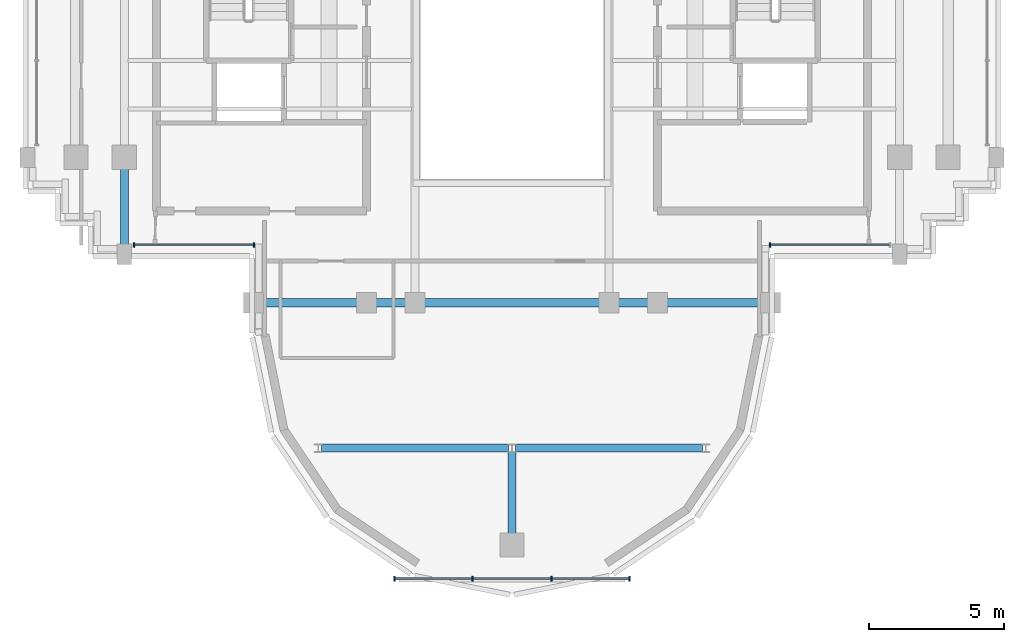
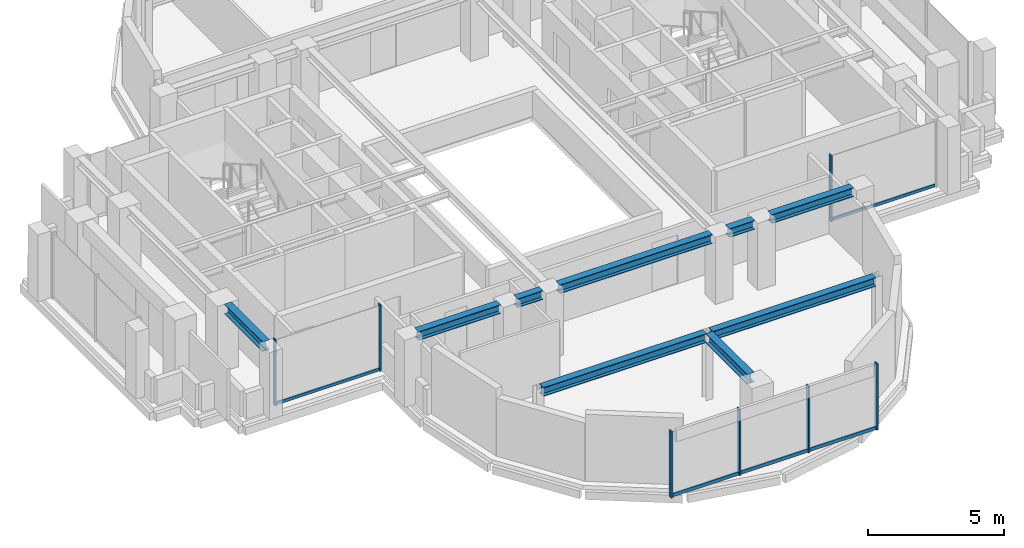
# One storey, part 3 of 12: 12 members, 9 beams, 3 elements without a shape of their own.
"""IFC4 building model written with IfcOpenShell, lengths in metres."""

from ifc_helpers import new_model, si_unit, direction, frame, origin, origin_2d, place, context, subcontext, project, spatial, rectangle, i_section, extrude, source, transform, mapped, material, material_profile, profile_set, type_object, element, aggregate, save


model = new_model("IFC4")

# Units and contexts
model_context = context("Model", 3, precision=1e-05, world=origin(), true_north=direction((0.0, 1.0)))
body_context = subcontext(model_context, "Body", "Model", "MODEL_VIEW")
ifc_project = project(units=[si_unit("LENGTHUNIT", "METRE"), si_unit("AREAUNIT", "SQUARE_METRE"), si_unit("VOLUMEUNIT", "CUBIC_METRE"), si_unit("PLANEANGLEUNIT", "RADIAN"), si_unit("MASSUNIT", "GRAM", prefix="KILO")], contexts=[model_context])

# Site, building, storey
site_placement = place(None, origin())
site = spatial("IfcSite", under=ifc_project, at=site_placement, CompositionType="ELEMENT")
building_placement = place(site_placement, origin())
building = spatial("IfcBuilding", under=site, at=building_placement, Name="Keilestroom Media Tower", CompositionType="ELEMENT")
storey_placement = place(building_placement, frame((0.0, 0.0, 249.199951171875)))
storey = spatial("IfcBuildingStorey", under=building, at=storey_placement, Name="L69", CompositionType="ELEMENT", Elevation=249.199951171875)

# Beams
ifc_material_1 = material(Name="Steel S355", Category="steel")
ifc_material_profile_1 = material_profile(ifc_material_1, i_section(OverallWidth=0.300048828125, OverallDepth=0.39990234375, WebThickness=0.011474609375, FlangeThickness=0.02392578125, at=origin_2d()), Name="HEB 400")
ifc_profile_set_1 = profile_set([ifc_material_profile_1], Name="Steel S355")
beam_type_1 = type_object("IfcBeamType", Name="Primary-Structural-Girder-HEB-400", PredefinedType="BEAM", material=ifc_profile_set_1)
shared_shape_1 = source(origin(), body_context, "Body", "SweptSolid", [
    extrude(i_section(OverallWidth=0.300048828125, OverallDepth=0.39990234375, WebThickness=0.011474609375, FlangeThickness=0.02392578125, at=origin_2d()), origin(), (0.0, 0.0, 1.0), 6.940185546875),
])
for number, where, z_axis, x_axis, name in (
    (1, (-7.070068359375, -14.39990234375, 2.81005859375), (1.0, 0.0, 0.0), (0.0, 1.0, 0.0), "L69 Beam BG-8 BM-L69-EW-001"),
    (2, (0.1298828125, -14.39990234375, 2.81005859375), (1.0, 0.0, 0.0), (0.0, 1.0, 0.0), "L69 Beam BG-8 BM-L69-EW-002"),
):
    element("IfcBeam", number, at=place(storey_placement, frame(where, z_axis=z_axis, x_axis=x_axis)), inside=storey, type_object=beam_type_1, Name=name, PredefinedType="BEAM", context=body_context, shape_type="MappedRepresentation", body=[
        mapped(shared_shape_1, transform((0.0, 0.0, 0.0), x_axis=(1.0, 0.0, 0.0), y_axis=(0.0, 1.0, 0.0), z_axis=(0.0, 0.0, 1.0), scale=1.0)),
    ])
shared_shape_2 = source(origin(), body_context, "Body", "SweptSolid", [
    extrude(i_section(OverallWidth=0.300048828125, OverallDepth=0.39990234375, WebThickness=0.011474609375, FlangeThickness=0.02392578125, at=origin_2d()), origin(), (0.0, 0.0, 1.0), 3.490234375),
])
for number, where, z_axis, x_axis, name in (
    (3, (-9.2451171875, -9.0, 2.81005859375), (1.0, 0.0, 0.0), (0.0, 1.0, 0.0), "L69 Beam BG-8 BM-L69-EW-003"),
    (4, (5.7548828125, -9.0, 2.81005859375), (1.0, 0.0, 0.0), (0.0, 1.0, 0.0), "L69 Beam BG-8 BM-L69-EW-007"),
):
    element("IfcBeam", number, at=place(storey_placement, frame(where, z_axis=z_axis, x_axis=x_axis)), inside=storey, type_object=beam_type_1, Name=name, PredefinedType="BEAM", context=body_context, shape_type="MappedRepresentation", body=[
        mapped(shared_shape_2, transform((0.0, 0.0, 0.0), x_axis=(1.0, 0.0, 0.0), y_axis=(0.0, 1.0, 0.0), z_axis=(0.0, 0.0, 1.0), scale=1.0)),
    ])
shared_shape_3 = source(origin(), body_context, "Body", "SweptSolid", [
    extrude(i_section(OverallWidth=0.300048828125, OverallDepth=0.39990234375, WebThickness=0.011474609375, FlangeThickness=0.02392578125, at=origin_2d()), origin(), (0.0, 0.0, 1.0), 1.08984375),
])
for number, where, z_axis, x_axis, name in (
    (5, (-5.044921875, -9.0, 2.81005859375), (1.0, 0.0, 0.0), (0.0, 1.0, 0.0), "L69 Beam BG-8 BM-L69-EW-004"),
    (6, (3.955078125, -9.0, 2.81005859375), (1.0, 0.0, 0.0), (0.0, 1.0, 0.0), "L69 Beam BG-8 BM-L69-EW-006"),
):
    element("IfcBeam", number, at=place(storey_placement, frame(where, z_axis=z_axis, x_axis=x_axis)), inside=storey, type_object=beam_type_1, Name=name, PredefinedType="BEAM", context=body_context, shape_type="MappedRepresentation", body=[
        mapped(shared_shape_3, transform((0.0, 0.0, 0.0), x_axis=(1.0, 0.0, 0.0), y_axis=(0.0, 1.0, 0.0), z_axis=(0.0, 0.0, 1.0), scale=1.0)),
    ])
shared_shape_4 = source(origin(), body_context, "Body", "SweptSolid", [
    extrude(i_section(OverallWidth=0.300048828125, OverallDepth=0.39990234375, WebThickness=0.011474609375, FlangeThickness=0.02392578125, at=origin_2d()), origin(), (0.0, 0.0, 1.0), 6.490234375),
])
beam_1_placement = place(storey_placement, frame((-3.2451171875, -9.0, 2.81005859375), z_axis=(1.0, 0.0, 0.0), x_axis=(0.0, 1.0, 0.0)))
element("IfcBeam", 7, at=beam_1_placement, inside=storey, type_object=beam_type_1, Name="L69 Beam BG-8 BM-L69-EW-005", PredefinedType="BEAM", context=body_context, shape_type="MappedRepresentation", body=[
    mapped(shared_shape_4, transform((0.0, 0.0, 0.0), x_axis=(1.0, 0.0, 0.0), y_axis=(0.0, 1.0, 0.0), z_axis=(0.0, 0.0, 1.0), scale=1.0)),
])
ifc_material_profile_2 = material_profile(ifc_material_1, i_section(OverallWidth=0.300048828125, OverallDepth=0.43994140625, WebThickness=0.011474609375, FlangeThickness=0.02099609375, at=origin_2d()), Name="HEA 450")
ifc_profile_set_2 = profile_set([ifc_material_profile_2], Name="Steel S355")
beam_type_2 = type_object("IfcBeamType", Name="Primary-Structural-Girder-HEA-450", PredefinedType="BEAM", material=ifc_profile_set_2)
shared_shape_5 = source(origin(), body_context, "Body", "SweptSolid", [
    extrude(i_section(OverallWidth=0.300048828125, OverallDepth=0.43994140625, WebThickness=0.011474609375, FlangeThickness=0.02099609375, at=origin_2d()), origin(), (0.0, 0.0, 1.0), 2.81494140625),
])
beam_2_placement = place(storey_placement, frame((-14.39990234375, -6.844970703125, 2.7900390625), z_axis=(0.0, 1.0, 0.0), x_axis=(-1.0, 0.0, 0.0)))
element("IfcBeam", 8, at=beam_2_placement, inside=storey, type_object=beam_type_2, Name="L69 Beam BG-11 BM-L69-NS-022", PredefinedType="BEAM", context=body_context, shape_type="MappedRepresentation", body=[
    mapped(shared_shape_5, transform((0.0, 0.0, 0.0), x_axis=(1.0, 0.0, 0.0), y_axis=(0.0, 1.0, 0.0), z_axis=(0.0, 0.0, 1.0), scale=1.0)),
])
shared_shape_6 = source(origin(), body_context, "Body", "SweptSolid", [
    extrude(i_section(OverallWidth=0.300048828125, OverallDepth=0.43994140625, WebThickness=0.011474609375, FlangeThickness=0.02099609375, at=origin_2d()), origin(), (0.0, 0.0, 1.0), 3.0400390625),
])
beam_3_placement = place(storey_placement, frame((0.0, -17.570068359375, 2.7900390625), z_axis=(0.0, 1.0, 0.0), x_axis=(-1.0, 0.0, 0.0)))
element("IfcBeam", 9, at=beam_3_placement, inside=storey, type_object=beam_type_2, Name="L69 Beam BG-11 BM-L69-NS-029", PredefinedType="BEAM", context=body_context, shape_type="MappedRepresentation", body=[
    mapped(shared_shape_6, transform((0.0, 0.0, 0.0), x_axis=(1.0, 0.0, 0.0), y_axis=(0.0, 1.0, 0.0), z_axis=(0.0, 0.0, 1.0), scale=1.0)),
])

# Curtain wall, members
ifc_material_2 = material(Name="Anodised Aluminium Alloy", Category="aluminium")
curtain_wall_type_1 = type_object("IfcCurtainWallType", Name="Unitised-Curtain-Wall-CW-6", PredefinedType="NOTDEFINED", material=ifc_material_2)
curtain_wall_1_placement = place(storey_placement, origin())
curtain_wall_1 = element("IfcCurtainWall", 10, at=curtain_wall_1_placement, inside=storey, type_object=curtain_wall_type_1, Name="L69 Curtain Wall CW-6 CW-L69-LS-1", PredefinedType="NOTDEFINED")
ifc_material_profile_3 = material_profile(ifc_material_2, rectangle(XDim=0.06494140625, YDim=0.179931640625, at=origin_2d()), Name="ALU MULLION 65x180")
ifc_profile_set_3 = profile_set([ifc_material_profile_3], Name="Anodised Aluminium Alloy")
member_type_1 = type_object("IfcMemberType", Name="Curtain-Wall-Mullion-CW-6", PredefinedType="MULLION", material=ifc_profile_set_3)
shared_shape_7 = source(origin(), body_context, "Body", "SweptSolid", [
    extrude(rectangle(XDim=0.06494140625, YDim=0.179931640625, at=origin_2d()), origin(), (0.0, 0.0, 1.0), 2.97998046875),
])
member_1_placement = place(storey_placement, frame((-4.367431640625, -19.25, 0.0), z_axis=(0.0, 0.0, 1.0), x_axis=(1.0, 0.0, 0.0)))
member_1 = element("IfcMember", 11, at=member_1_placement, type_object=member_type_1, Name="CW-6 Mullion 00", PredefinedType="MULLION", context=body_context, shape_type="MappedRepresentation", body=[
    mapped(shared_shape_7, transform((0.0, 0.0, 0.0), x_axis=(1.0, 0.0, 0.0), y_axis=(0.0, 1.0, 0.0), z_axis=(0.0, 0.0, 1.0), scale=1.0)),
])
member_2_placement = place(storey_placement, frame((-1.466796875, -19.25, 0.0), z_axis=(0.0, 0.0, 1.0), x_axis=(1.0, 0.0, 0.0)))
member_2 = element("IfcMember", 12, at=member_2_placement, type_object=member_type_1, Name="CW-6 Mullion 01", PredefinedType="MULLION", context=body_context, shape_type="MappedRepresentation", body=[
    mapped(shared_shape_7, transform((0.0, 0.0, 0.0), x_axis=(1.0, 0.0, 0.0), y_axis=(0.0, 1.0, 0.0), z_axis=(0.0, 0.0, 1.0), scale=1.0)),
])
member_3_placement = place(storey_placement, frame((1.466796875, -19.25, 0.0), z_axis=(0.0, 0.0, 1.0), x_axis=(1.0, 0.0, 0.0)))
member_3 = element("IfcMember", 13, at=member_3_placement, type_object=member_type_1, Name="CW-6 Mullion 02", PredefinedType="MULLION", context=body_context, shape_type="MappedRepresentation", body=[
    mapped(shared_shape_7, transform((0.0, 0.0, 0.0), x_axis=(1.0, 0.0, 0.0), y_axis=(0.0, 1.0, 0.0), z_axis=(0.0, 0.0, 1.0), scale=1.0)),
])
member_4_placement = place(storey_placement, frame((4.367431640625, -19.25, 0.0), z_axis=(0.0, 0.0, 1.0), x_axis=(1.0, 0.0, 0.0)))
member_4 = element("IfcMember", 14, at=member_4_placement, type_object=member_type_1, Name="CW-6 Mullion 03", PredefinedType="MULLION", context=body_context, shape_type="MappedRepresentation", body=[
    mapped(shared_shape_7, transform((0.0, 0.0, 0.0), x_axis=(1.0, 0.0, 0.0), y_axis=(0.0, 1.0, 0.0), z_axis=(0.0, 0.0, 1.0), scale=1.0)),
])
ifc_material_profile_4 = material_profile(ifc_material_2, rectangle(XDim=0.06494140625, YDim=0.14990234375, at=origin_2d()), Name="ALU TRANSOM 65x150")
ifc_profile_set_4 = profile_set([ifc_material_profile_4], Name="Anodised Aluminium Alloy")
member_type_2 = type_object("IfcMemberType", Name="Curtain-Wall-Transom-CW-6", PredefinedType="USERDEFINED", material=ifc_profile_set_4)
shared_shape_8 = source(origin(), body_context, "Body", "SweptSolid", [
    extrude(rectangle(XDim=0.06494140625, YDim=0.14990234375, at=origin_2d()), origin(), (0.0, 0.0, 1.0), 2.839599609375),
])
member_5_placement = place(storey_placement, frame((-4.3369140625, -19.25, 0.074951171875), z_axis=(1.0, 0.0, 0.0), x_axis=(0.0, 1.0, 0.0)))
member_5 = element("IfcMember", 15, at=member_5_placement, type_object=member_type_2, Name="CW-6 Transom 00.1", ObjectType="TRANSOM", PredefinedType="USERDEFINED", context=body_context, shape_type="MappedRepresentation", body=[
    mapped(shared_shape_8, transform((0.0, 0.0, 0.0), x_axis=(1.0, 0.0, 0.0), y_axis=(0.0, 1.0, 0.0), z_axis=(0.0, 0.0, 1.0), scale=1.0)),
])
member_6_placement = place(storey_placement, frame((1.497314453125, -19.25, 0.074951171875), z_axis=(1.0, 0.0, 0.0), x_axis=(0.0, 1.0, 0.0)))
member_6 = element("IfcMember", 16, at=member_6_placement, type_object=member_type_2, Name="CW-6 Transom 02.1", ObjectType="TRANSOM", PredefinedType="USERDEFINED", context=body_context, shape_type="MappedRepresentation", body=[
    mapped(shared_shape_8, transform((0.0, 0.0, 0.0), x_axis=(1.0, 0.0, 0.0), y_axis=(0.0, 1.0, 0.0), z_axis=(0.0, 0.0, 1.0), scale=1.0)),
])
shared_shape_9 = source(origin(), body_context, "Body", "SweptSolid", [
    extrude(rectangle(XDim=0.06494140625, YDim=0.14990234375, at=origin_2d()), origin(), (0.0, 0.0, 1.0), 2.87255859375),
])
member_7_placement = place(storey_placement, frame((-1.436279296875, -19.25, 0.074951171875), z_axis=(1.0, 0.0, 0.0), x_axis=(0.0, 1.0, 0.0)))
member_7 = element("IfcMember", 17, at=member_7_placement, type_object=member_type_2, Name="CW-6 Transom 01.1", ObjectType="TRANSOM", PredefinedType="USERDEFINED", context=body_context, shape_type="MappedRepresentation", body=[
    mapped(shared_shape_9, transform((0.0, 0.0, 0.0), x_axis=(1.0, 0.0, 0.0), y_axis=(0.0, 1.0, 0.0), z_axis=(0.0, 0.0, 1.0), scale=1.0)),
])
aggregate(curtain_wall_1, [member_1, member_2, member_3, member_4, member_5, member_7, member_6])

curtain_wall_type_2 = type_object("IfcCurtainWallType", Name="Unitised-Curtain-Wall-CW-4", PredefinedType="NOTDEFINED", material=ifc_material_2)
curtain_wall_2_placement = place(storey_placement, origin())
curtain_wall_2 = element("IfcCurtainWall", 18, at=curtain_wall_2_placement, inside=storey, type_object=curtain_wall_type_2, Name="L69 Curtain Wall CW-4 CW-L69-SW-1", PredefinedType="NOTDEFINED")
ifc_material_profile_5 = material_profile(ifc_material_2, rectangle(XDim=0.06005859375, YDim=0.159912109375, at=origin_2d()), Name="ALU MULLION 60x160")
ifc_profile_set_5 = profile_set([ifc_material_profile_5], Name="Anodised Aluminium Alloy")
member_type_3 = type_object("IfcMemberType", Name="Curtain-Wall-Mullion-CW-4", PredefinedType="MULLION", material=ifc_profile_set_5)
shared_shape_10 = source(origin(), body_context, "Body", "SweptSolid", [
    extrude(rectangle(XDim=0.06005859375, YDim=0.159912109375, at=origin_2d()), origin(), (0.0, 0.0, 1.0), 2.97998046875),
])
member_8_placement = place(storey_placement, frame((-14.034912109375, -6.85009765625, 0.0), z_axis=(0.0, 0.0, 1.0), x_axis=(1.0, 0.0, 0.0)))
member_8 = element("IfcMember", 19, at=member_8_placement, type_object=member_type_3, Name="CW-4 Mullion 00", PredefinedType="MULLION", context=body_context, shape_type="MappedRepresentation", body=[
    mapped(shared_shape_10, transform((0.0, 0.0, 0.0), x_axis=(1.0, 0.0, 0.0), y_axis=(0.0, 1.0, 0.0), z_axis=(0.0, 0.0, 1.0), scale=1.0)),
])
member_9_placement = place(storey_placement, frame((-9.580078125, -6.85009765625, 0.0), z_axis=(0.0, 0.0, 1.0), x_axis=(1.0, 0.0, 0.0)))
member_9 = element("IfcMember", 20, at=member_9_placement, type_object=member_type_3, Name="CW-4 Mullion 01", PredefinedType="MULLION", context=body_context, shape_type="MappedRepresentation", body=[
    mapped(shared_shape_10, transform((0.0, 0.0, 0.0), x_axis=(1.0, 0.0, 0.0), y_axis=(0.0, 1.0, 0.0), z_axis=(0.0, 0.0, 1.0), scale=1.0)),
])

# Curtain wall, member
curtain_wall_3_placement = place(storey_placement, origin())
curtain_wall_3 = element("IfcCurtainWall", 21, at=curtain_wall_3_placement, inside=storey, type_object=curtain_wall_type_2, Name="L69 Curtain Wall CW-4 CW-L69-SE-1", PredefinedType="NOTDEFINED")
member_10_placement = place(storey_placement, frame((9.580078125, -6.85009765625, 0.0), z_axis=(0.0, 0.0, 1.0), x_axis=(1.0, 0.0, 0.0)))
member_10 = element("IfcMember", 22, at=member_10_placement, type_object=member_type_3, Name="CW-4 Mullion 00", PredefinedType="MULLION", context=body_context, shape_type="MappedRepresentation", body=[
    mapped(shared_shape_10, transform((0.0, 0.0, 0.0), x_axis=(1.0, 0.0, 0.0), y_axis=(0.0, 1.0, 0.0), z_axis=(0.0, 0.0, 1.0), scale=1.0)),
])

# Member
ifc_material_profile_6 = material_profile(ifc_material_2, rectangle(XDim=0.06005859375, YDim=0.1298828125, at=origin_2d()), Name="ALU TRANSOM 60x130")
ifc_profile_set_6 = profile_set([ifc_material_profile_6], Name="Anodised Aluminium Alloy")
member_type_4 = type_object("IfcMemberType", Name="Curtain-Wall-Transom-CW-4", PredefinedType="USERDEFINED", material=ifc_profile_set_6)
shared_shape_11 = source(origin(), body_context, "Body", "SweptSolid", [
    extrude(rectangle(XDim=0.06005859375, YDim=0.1298828125, at=origin_2d()), origin(), (0.0, 0.0, 1.0), 4.399169921875),
])
member_11_placement = place(storey_placement, frame((-14.007080078125, -6.85009765625, 0.06494140625), z_axis=(1.0, 0.0, 0.0), x_axis=(0.0, 1.0, 0.0)))
member_11 = element("IfcMember", 23, at=member_11_placement, type_object=member_type_4, Name="CW-4 Transom 00.1", ObjectType="TRANSOM", PredefinedType="USERDEFINED", context=body_context, shape_type="MappedRepresentation", body=[
    mapped(shared_shape_11, transform((0.0, 0.0, 0.0), x_axis=(1.0, 0.0, 0.0), y_axis=(0.0, 1.0, 0.0), z_axis=(0.0, 0.0, 1.0), scale=1.0)),
])

aggregate(curtain_wall_2, [member_8, member_9, member_11])

member_12_placement = place(storey_placement, frame((9.60791015625, -6.85009765625, 0.06494140625), z_axis=(1.0, 0.0, 0.0), x_axis=(0.0, 1.0, 0.0)))
member_12 = element("IfcMember", 24, at=member_12_placement, type_object=member_type_4, Name="CW-4 Transom 00.1", ObjectType="TRANSOM", PredefinedType="USERDEFINED", context=body_context, shape_type="MappedRepresentation", body=[
    mapped(shared_shape_11, transform((0.0, 0.0, 0.0), x_axis=(1.0, 0.0, 0.0), y_axis=(0.0, 1.0, 0.0), z_axis=(0.0, 0.0, 1.0), scale=1.0)),
])

aggregate(curtain_wall_3, [member_10, member_12])

save(model, "model.ifc")
